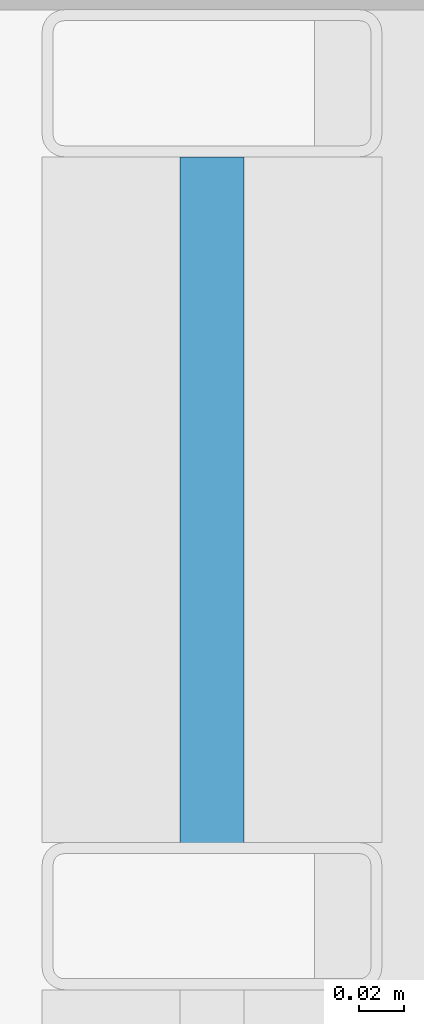
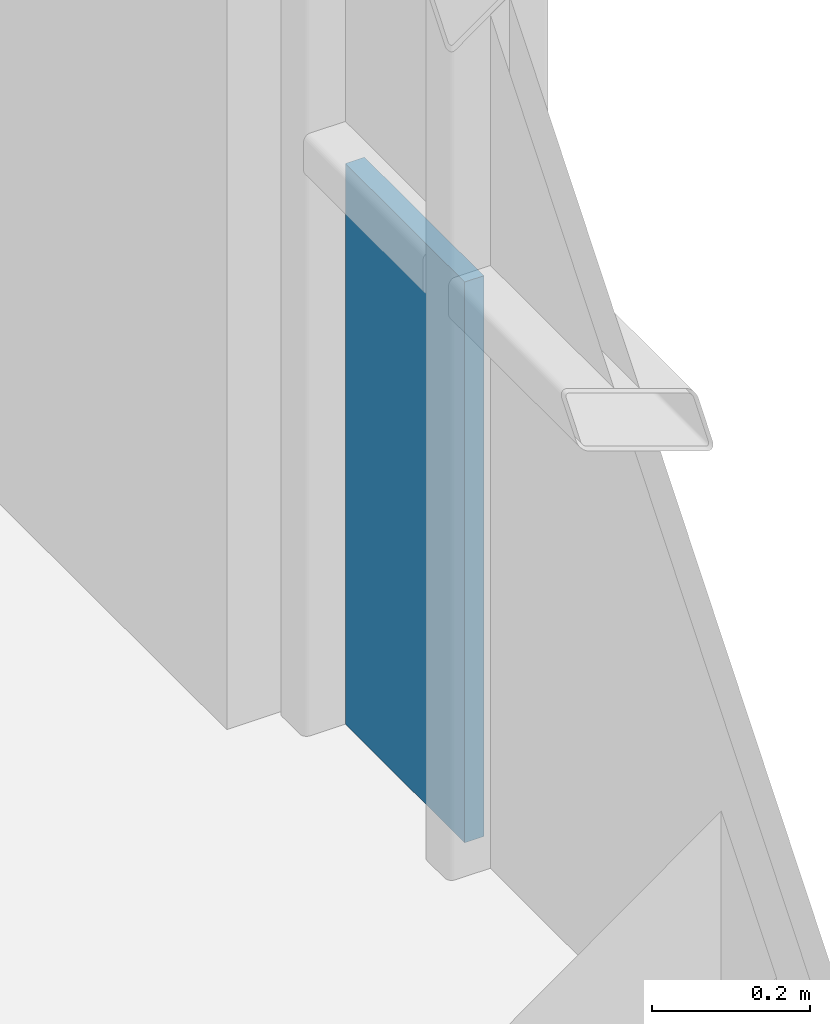
# One storey, part 32 of 41: 1 plate, 1 element without a shape of its own.
"""IFC4 building model written with IfcOpenShell, lengths in metres."""

import ifcopenshell
import ifcopenshell.guid

model = None  # the IFC model being written
_history = None  # IfcOwnerHistory: only IFC2X3 demands one
_inside = {}  # id of a spatial element -> (the spatial element, [elements in it])
_under = {}  # id of a project, library or spatial element -> (it, [spatial elements below it])
_declared = {}  # id of a project -> (the project, [libraries it declares])
_typed = {}  # id of a type object -> (the type object, [elements of that type])
_made_of = {}  # id of a material, layer set ... -> (it, [elements and type objects made of it])


def new_model(schema):
    """Start an empty IFC model of exactly this schema.

    Asked for "IFC4X3", IfcOpenShell would pick the latest addendum, in which some entities
    have other attributes; the version numbers below select the first issue.
    IFC2X3 requires an IfcOwnerHistory on every rooted entity: one is made here for all.
    """
    global model, _history
    if schema == "IFC4X3":
        model = ifcopenshell.file(schema_version=(4, 3, 0, 0))
    else:
        model = ifcopenshell.file(schema=schema)
    _inside.clear()
    _under.clear()
    _declared.clear()
    _typed.clear()
    _made_of.clear()
    _history = None
    if model.schema == "IFC2X3":
        org = make("IfcOrganization", Name="unknown")
        user = make(
            "IfcPersonAndOrganization",
            ThePerson=make("IfcPerson", FamilyName="unknown"),
            TheOrganization=org,
        )
        app = make(
            "IfcApplication",
            ApplicationDeveloper=org,
            Version="unknown",
            ApplicationFullName="unknown",
            ApplicationIdentifier="unknown",
        )
        _history = make(
            "IfcOwnerHistory",
            OwningUser=user,
            OwningApplication=app,
            ChangeAction="ADDED",
            CreationDate=0,
        )
    return model


def make(cls, **values):
    """One entity of the class cls with the attributes given. An attribute that is None is left unset."""
    return model.create_entity(
        cls, **{name: value for name, value in values.items() if value is not None}
    )


def rooted(cls, **values):
    """An entity with a GlobalId (a new one), such as an element, a storey or a relation."""
    return make(cls, GlobalId=ifcopenshell.guid.new(), OwnerHistory=_history, **values)


def si_unit(unit_type, name, prefix=None):
    """IfcSIUnit, for example si_unit("LENGTHUNIT", "METRE", prefix="MILLI")."""
    return make("IfcSIUnit", UnitType=unit_type, Prefix=prefix, Name=name)


def assignment(units):
    """IfcUnitAssignment: the units of a project."""
    return None if units is None else make("IfcUnitAssignment", Units=units)


def point(xyz):
    """IfcCartesianPoint."""
    return None if xyz is None else make("IfcCartesianPoint", Coordinates=xyz)


def direction(xyz):
    """IfcDirection."""
    return None if xyz is None else make("IfcDirection", DirectionRatios=xyz)


def frame(location, z_axis=None, x_axis=None):
    """IfcAxis2Placement3D, a coordinate frame: its origin and axes. An axis left out is left unset."""
    return make(
        "IfcAxis2Placement3D",
        Location=point(location),
        Axis=direction(z_axis),
        RefDirection=direction(x_axis),
    )


def frame_2d(location, x_axis=None):
    """IfcAxis2Placement2D, a coordinate frame in the plane: its origin and x axis."""
    return make(
        "IfcAxis2Placement2D", Location=point(location), RefDirection=direction(x_axis)
    )


def origin():
    """The frame at (0, 0, 0) with its axes left unset."""
    return frame((0.0, 0.0, 0.0))


def origin_2d():
    """The frame at (0, 0) in the plane with its x axis left unset."""
    return frame_2d((0.0, 0.0))


def place(relative_to, where):
    """IfcLocalPlacement: puts the frame where relative to a parent placement (None: the world)."""
    return make(
        "IfcLocalPlacement", PlacementRelTo=relative_to, RelativePlacement=where
    )


def context(
    kind, dimensions, precision=None, world=None, true_north=None, identifier=None
):
    """IfcGeometricRepresentationContext, for example the 3D "Model" context."""
    return make(
        "IfcGeometricRepresentationContext",
        ContextIdentifier=identifier,
        ContextType=kind,
        CoordinateSpaceDimension=dimensions,
        Precision=precision,
        WorldCoordinateSystem=world,
        TrueNorth=true_north,
    )


def subcontext(parent, identifier, kind, view, scale=None):
    """IfcGeometricRepresentationSubContext, for example "Body" below "Model"."""
    return make(
        "IfcGeometricRepresentationSubContext",
        ContextIdentifier=identifier,
        ContextType=kind,
        ParentContext=parent,
        TargetScale=scale,
        TargetView=view,
    )


def project(units=None, contexts=None):
    """IfcProject with its units and contexts."""
    return rooted(
        "IfcProject",
        Name="project",
        RepresentationContexts=contexts,
        UnitsInContext=assignment(units),
    )


def spatial(cls, under=None, at=None, **own):
    """A site, building, storey or space (cls), placed at a placement, below another one or the project."""
    s = rooted(cls, ObjectPlacement=at, **own)
    if under is not None:
        _under.setdefault(under.id(), (under, []))[1].append(s)
    return s


def profile(cls, at=None, kind="AREA", **sizes):
    """A parametric profile (cls). Its sizes go by their IFC names, for example OverallWidth=200.0."""
    return make(cls, ProfileType=kind, Position=at, **sizes)


def rectangle(**sizes):
    """IfcRectangleProfileDef."""
    return profile("IfcRectangleProfileDef", **sizes)


def extrude(swept, where, along, depth):
    """IfcExtrudedAreaSolid: the profile swept, set in the frame where, extruded along a direction by depth."""
    return make(
        "IfcExtrudedAreaSolid",
        SweptArea=swept,
        Position=where,
        ExtrudedDirection=direction(along),
        Depth=depth,
    )


def shape(context_of_items, identifier, shape_type, items):
    """IfcShapeRepresentation: the items that make up one representation, for example the "Body"."""
    return make(
        "IfcShapeRepresentation",
        ContextOfItems=context_of_items,
        RepresentationIdentifier=identifier,
        RepresentationType=shape_type,
        Items=items,
    )


def material(Name=None, Category=None):
    """IfcMaterial."""
    return make("IfcMaterial", Name=Name, Category=Category)


def layer(
    of_material, thickness, ventilated=None, Name=None, Category=None, Priority=None
):
    """IfcMaterialLayer: one layer of a wall or slab, of a material (None: an air gap)."""
    return make(
        "IfcMaterialLayer",
        Material=of_material,
        LayerThickness=thickness,
        IsVentilated=ventilated,
        Name=Name,
        Category=Category,
        Priority=Priority,
    )


def layer_set(layers, Name=None):
    """IfcMaterialLayerSet."""
    return make("IfcMaterialLayerSet", MaterialLayers=layers, LayerSetName=Name)


def made_of(thing, what):
    """Note that an element or type object is made of a material, layer set ...; save() writes the relation."""
    if what is not None:
        _made_of.setdefault(what.id(), (what, []))[1].append(thing)
    return thing


def type_object(cls, material=None, **own):
    """A type object (cls), such as IfcWallType, which elements share."""
    return made_of(rooted(cls, **own), material)


def element(
    cls,
    number,
    at=None,
    inside=None,
    cuts=None,
    type_object=None,
    material=None,
    context=None,
    identifier="Body",
    shape_type=None,
    held_by="IfcProductDefinitionShape",
    body=None,
    shapes=None,
    **own,
):
    """One element of the class cls, such as IfcWall. Its Tag is "e" and its number.

    at: its placement. inside: the storey or other place that contains it. cuts: it is an
    opening in that element (IfcRelVoidsElement). A single representation is given by context,
    identifier, shape_type and body (its items); several are given by shapes. held_by: the class
    of the entity that holds the representations. save() writes the other relations.
    """
    e = rooted(cls, Tag="e%d" % number, ObjectPlacement=at, **own)
    if body is not None:
        shapes = [shape(context, identifier, shape_type, body)]
    if shapes is not None:
        e.Representation = make(held_by, Representations=shapes)
    if inside is not None:
        _inside.setdefault(inside.id(), (inside, []))[1].append(e)
    if cuts is not None:
        rooted(
            "IfcRelVoidsElement", RelatingBuildingElement=cuts, RelatedOpeningElement=e
        )
    if type_object is not None:
        _typed.setdefault(type_object.id(), (type_object, []))[1].append(e)
    return made_of(e, material)


def aggregate(whole, parts):
    """IfcRelAggregates: a whole, such as a stair, and the parts it consists of."""
    return rooted("IfcRelAggregates", RelatingObject=whole, RelatedObjects=parts)


def save(model, path):
    """Write the relations noted so far, then the file.

    IfcRelAggregates (storeys below a building ...), IfcRelContainedInSpatialStructure (elements
    in a storey), IfcRelDefinesByType, IfcRelAssociatesMaterial and IfcRelDeclares: one each for
    every whole, place, type object, material and project.
    """
    for whole, parts in _under.values():
        aggregate(whole, parts)
    for where, things in _inside.values():
        rooted(
            "IfcRelContainedInSpatialStructure",
            RelatedElements=things,
            RelatingStructure=where,
        )
    for kind, things in _typed.values():
        rooted("IfcRelDefinesByType", RelatedObjects=things, RelatingType=kind)
    for what, things in _made_of.values():
        rooted("IfcRelAssociatesMaterial", RelatedObjects=things, RelatingMaterial=what)
    for by, libraries in _declared.values():
        rooted("IfcRelDeclares", RelatingContext=by, RelatedDefinitions=libraries)
    model.write(path)


model = new_model("IFC4")

# Units and contexts
model_context = context("Model", 3, precision=1e-05, world=origin(), true_north=direction((0.0, 1.0)))
body_context = subcontext(model_context, "Body", "Model", "MODEL_VIEW")
ifc_project = project(units=[si_unit("LENGTHUNIT", "METRE"), si_unit("AREAUNIT", "SQUARE_METRE"), si_unit("VOLUMEUNIT", "CUBIC_METRE"), si_unit("PLANEANGLEUNIT", "RADIAN"), si_unit("MASSUNIT", "GRAM", prefix="KILO")], contexts=[model_context])

# Site, building, storey
site_placement = place(None, origin())
site = spatial("IfcSite", under=ifc_project, at=site_placement, CompositionType="ELEMENT")
building_placement = place(site_placement, origin())
building = spatial("IfcBuilding", under=site, at=building_placement, Name="Brevholm Reach", CompositionType="ELEMENT")
storey_placement = place(building_placement, frame((0.0, 0.0, 169.699951171875)))
storey = spatial("IfcBuildingStorey", under=building, at=storey_placement, Name="L51", CompositionType="ELEMENT", Elevation=169.699951171875)

# Curtain wall, plate
ifc_material_1 = material(Name="Dark Anodised Aluminium 6063-T6 and Solar-Control Glass", Category="aluminium")
ifc_layer_1 = layer(ifc_material_1, 0.14990234375)
ifc_layer_set_1 = layer_set([ifc_layer_1], Name="Dark Anodised Aluminium 6063-T6 and Solar-Control Glass")
curtain_wall_type = type_object("IfcCurtainWallType", Name="CW-01", PredefinedType="NOTDEFINED", material=ifc_layer_set_1)
curtain_wall_placement = place(storey_placement, origin())
curtain_wall = element("IfcCurtainWall", 1, at=curtain_wall_placement, inside=storey, type_object=curtain_wall_type, Name="L51 Curtain Wall CW-01", PredefinedType="NOTDEFINED")
ifc_material_2 = material(Name="Dark Solar-Control Double-Glazed IGU Glass", Category="glass")
ifc_layer_2 = layer(ifc_material_2, 0.028076171875)
ifc_layer_set_2 = layer_set([ifc_layer_2], Name="Dark Solar-Control Double-Glazed IGU Glass")
plate_type = type_object("IfcPlateType", Name="CWP-GLZ-28", PredefinedType="CURTAIN_PANEL", material=ifc_layer_set_2)
plate_placement = place(storey_placement, frame((59.85009765625, 22.733642578125, 0.0), z_axis=(0.0, 0.0, 1.0), x_axis=(0.0, 1.0, 0.0)))
plate = element("IfcPlate", 2, at=plate_placement, type_object=plate_type, Name="CP-01 Glazing Panel 5.1", PredefinedType="CURTAIN_PANEL", context=body_context, shape_type="SweptSolid", body=[
    extrude(rectangle(XDim=0.302490234375, YDim=0.028076171875, at=origin_2d()), origin(), (0.0, 0.0, 1.0), 0.867431640625),
])
aggregate(curtain_wall, [plate])

save(model, "model.ifc")
